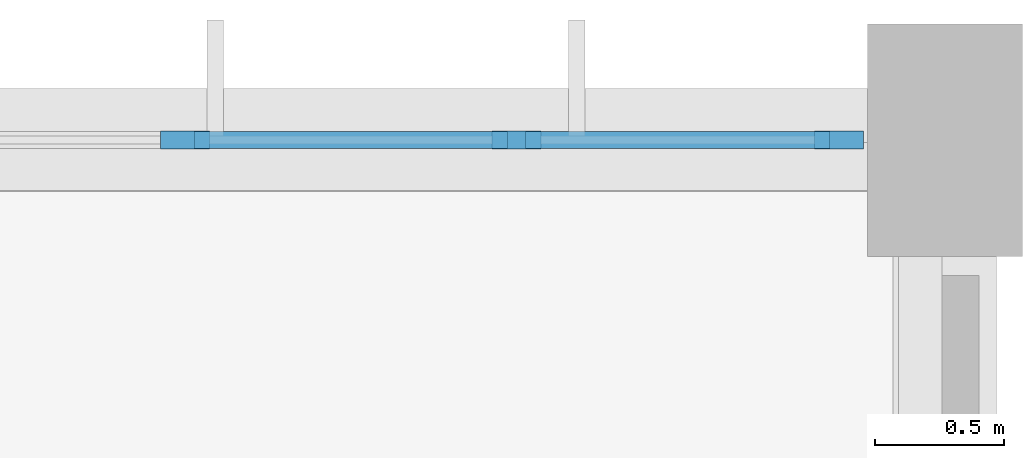
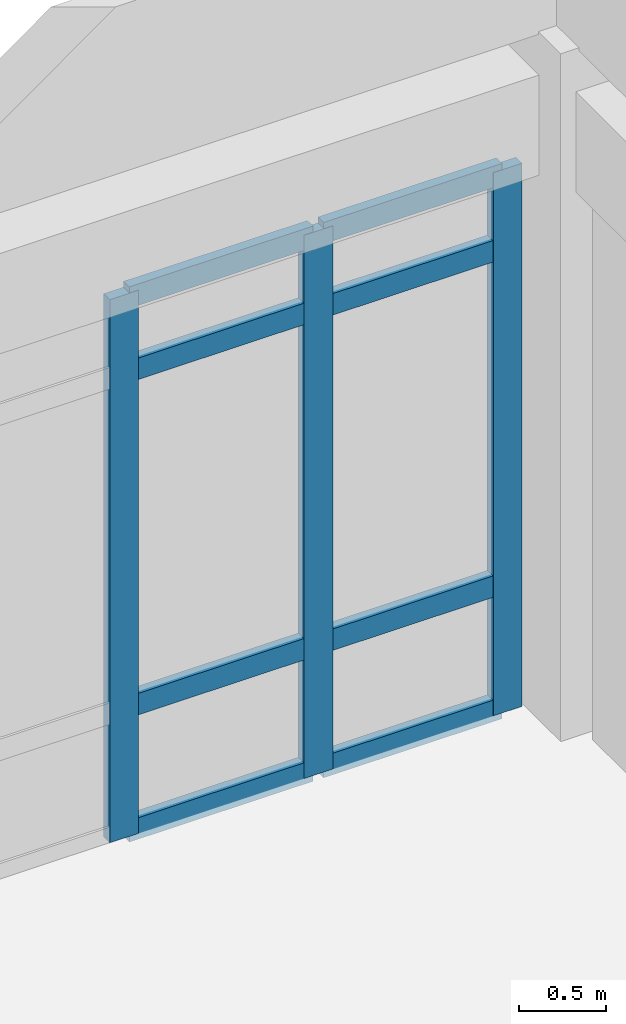
# One storey, part 62 of 138: 11 members, 1 element without a shape of its own.
"""IFC4 building model written with IfcOpenShell, lengths in metres."""

from ifc_helpers import new_model, si_unit, direction, frame, origin, origin_2d, place, context, subcontext, project, spatial, rectangle, extrude, material, layer, layer_set, material_profile, profile_set, type_object, element, aggregate, save


model = new_model("IFC4")

# Units and contexts
model_context = context("Model", 3, precision=1e-05, world=origin(), true_north=direction((0.0, 1.0)))
body_context = subcontext(model_context, "Body", "Model", "MODEL_VIEW")
ifc_project = project(units=[si_unit("LENGTHUNIT", "METRE"), si_unit("AREAUNIT", "SQUARE_METRE"), si_unit("VOLUMEUNIT", "CUBIC_METRE"), si_unit("PLANEANGLEUNIT", "RADIAN"), si_unit("MASSUNIT", "GRAM", prefix="KILO")], contexts=[model_context])

# Site, building, storey
site_placement = place(None, origin())
site = spatial("IfcSite", under=ifc_project, at=site_placement, CompositionType="ELEMENT")
building_placement = place(site_placement, origin())
building = spatial("IfcBuilding", under=site, at=building_placement, Name="Bramfleet General Hospital", CompositionType="ELEMENT")
storey_placement = place(building_placement, origin())
storey = spatial("IfcBuildingStorey", under=building, at=storey_placement, Name="L00", CompositionType="ELEMENT", Elevation=0.0)

# Curtain wall, members
ifc_material_1 = material(Name="Anodised aluminium and low-E triple glazing", Category="aluminium")
ifc_layer = layer(ifc_material_1, 0.179931640625, Name="CWT-CW-06")
ifc_layer_set = layer_set([ifc_layer], Name="Anodised aluminium and low-E triple glazing")
curtain_wall_type = type_object("IfcCurtainWallType", Name="CWT-CW-06", PredefinedType="USERDEFINED", material=ifc_layer_set)
curtain_wall_placement = place(storey_placement, origin())
curtain_wall = element("IfcCurtainWall", 1, at=curtain_wall_placement, inside=storey, type_object=curtain_wall_type, Name="L00 Curtain Wall 6", ObjectType="Unitised curtain wall", PredefinedType="USERDEFINED")
ifc_material_2 = material(Name="Structural timber GL28h", Category="wood")
ifc_material_profile_1 = material_profile(ifc_material_2, rectangle(XDim=0.070068359375, YDim=0.18994140625, at=origin_2d()), Name="LARCH 190x70")
ifc_profile_set_1 = profile_set([ifc_material_profile_1], Name="Structural timber GL28h")
member_type_1 = type_object("IfcMemberType", Name="CWM-LARCH450", PredefinedType="MULLION", material=ifc_profile_set_1)
member_1_placement = place(storey_placement, frame((181.8583984375, 117.60009765625, 0.0), z_axis=(0.0, 0.0, 1.0), x_axis=(0.0, 1.0, 0.0)))
member_1 = element("IfcMember", 2, at=member_1_placement, type_object=member_type_1, Name="CW-06 mullion 5", PredefinedType="MULLION", context=body_context, shape_type="SweptSolid", body=[
    extrude(rectangle(XDim=0.070068359375, YDim=0.18994140625, at=origin_2d()), origin(), (0.0, 0.0, 1.0), 3.7900390625),
])
member_2_placement = place(storey_placement, frame((183.1416015625, 117.60009765625, 0.0), z_axis=(0.0, 0.0, 1.0), x_axis=(0.0, 1.0, 0.0)))
member_2 = element("IfcMember", 3, at=member_2_placement, type_object=member_type_1, Name="CW-06 mullion 6", PredefinedType="MULLION", context=body_context, shape_type="SweptSolid", body=[
    extrude(rectangle(XDim=0.070068359375, YDim=0.18994140625, at=origin_2d()), origin(), (0.0, 0.0, 1.0), 3.7900390625),
])
member_3_placement = place(storey_placement, frame((184.389892578125, 117.60009765625, 0.0), z_axis=(0.0, 0.0, 1.0), x_axis=(0.0, 1.0, 0.0)))
member_3 = element("IfcMember", 4, at=member_3_placement, type_object=member_type_1, Name="CW-06 mullion 7", PredefinedType="MULLION", context=body_context, shape_type="SweptSolid", body=[
    extrude(rectangle(XDim=0.070068359375, YDim=0.18994140625, at=origin_2d()), origin(), (0.0, 0.0, 1.0), 3.7900390625),
])
ifc_material_profile_2 = material_profile(ifc_material_2, rectangle(XDim=0.06494140625, YDim=0.14990234375, at=origin_2d()), Name="LARCH 150x65")
ifc_profile_set_2 = profile_set([ifc_material_profile_2], Name="Structural timber GL28h")
member_type_2 = type_object("IfcMemberType", Name="CWT-LARCH220", PredefinedType="USERDEFINED", material=ifc_profile_set_2)
member_4_placement = place(storey_placement, frame((181.893310546875, 117.60009765625, 0.032470703125), z_axis=(1.0, 0.0, 0.0), x_axis=(0.0, 1.0, 0.0)))
member_4 = element("IfcMember", 5, at=member_4_placement, type_object=member_type_2, Name="CW-06 transom 5.1", ObjectType="TRANSOM", PredefinedType="USERDEFINED", context=body_context, shape_type="SweptSolid", body=[
    extrude(rectangle(XDim=0.06494140625, YDim=0.14990234375, at=origin_2d()), origin(), (0.0, 0.0, 1.0), 1.21337890625),
])
member_5_placement = place(storey_placement, frame((181.893310546875, 117.60009765625, 0.89990234375), z_axis=(1.0, 0.0, 0.0), x_axis=(0.0, 1.0, 0.0)))
member_5 = element("IfcMember", 6, at=member_5_placement, type_object=member_type_2, Name="CW-06 transom 5.2", ObjectType="TRANSOM", PredefinedType="USERDEFINED", context=body_context, shape_type="SweptSolid", body=[
    extrude(rectangle(XDim=0.06494140625, YDim=0.14990234375, at=origin_2d()), origin(), (0.0, 0.0, 1.0), 1.21337890625),
])
member_6_placement = place(storey_placement, frame((181.893310546875, 117.60009765625, 3.239990234375), z_axis=(1.0, 0.0, 0.0), x_axis=(0.0, 1.0, 0.0)))
member_6 = element("IfcMember", 7, at=member_6_placement, type_object=member_type_2, Name="CW-06 transom 5.3", ObjectType="TRANSOM", PredefinedType="USERDEFINED", context=body_context, shape_type="SweptSolid", body=[
    extrude(rectangle(XDim=0.06494140625, YDim=0.14990234375, at=origin_2d()), origin(), (0.0, 0.0, 1.0), 1.21337890625),
])
member_7_placement = place(storey_placement, frame((181.893310546875, 117.60009765625, 3.757568359375), z_axis=(1.0, 0.0, 0.0), x_axis=(0.0, 1.0, 0.0)))
member_7 = element("IfcMember", 8, at=member_7_placement, type_object=member_type_2, Name="CW-06 transom 5.4", ObjectType="TRANSOM", PredefinedType="USERDEFINED", context=body_context, shape_type="SweptSolid", body=[
    extrude(rectangle(XDim=0.06494140625, YDim=0.14990234375, at=origin_2d()), origin(), (0.0, 0.0, 1.0), 1.21337890625),
])
member_8_placement = place(storey_placement, frame((183.1767578125, 117.60009765625, 0.032470703125), z_axis=(1.0, 0.0, 0.0), x_axis=(0.0, 1.0, 0.0)))
member_8 = element("IfcMember", 9, at=member_8_placement, type_object=member_type_2, Name="CW-06 transom 6.1", ObjectType="TRANSOM", PredefinedType="USERDEFINED", context=body_context, shape_type="SweptSolid", body=[
    extrude(rectangle(XDim=0.06494140625, YDim=0.14990234375, at=origin_2d()), origin(), (0.0, 0.0, 1.0), 1.17822265625),
])
member_9_placement = place(storey_placement, frame((183.1767578125, 117.60009765625, 0.89990234375), z_axis=(1.0, 0.0, 0.0), x_axis=(0.0, 1.0, 0.0)))
member_9 = element("IfcMember", 10, at=member_9_placement, type_object=member_type_2, Name="CW-06 transom 6.2", ObjectType="TRANSOM", PredefinedType="USERDEFINED", context=body_context, shape_type="SweptSolid", body=[
    extrude(rectangle(XDim=0.06494140625, YDim=0.14990234375, at=origin_2d()), origin(), (0.0, 0.0, 1.0), 1.17822265625),
])
member_10_placement = place(storey_placement, frame((183.1767578125, 117.60009765625, 3.239990234375), z_axis=(1.0, 0.0, 0.0), x_axis=(0.0, 1.0, 0.0)))
member_10 = element("IfcMember", 11, at=member_10_placement, type_object=member_type_2, Name="CW-06 transom 6.3", ObjectType="TRANSOM", PredefinedType="USERDEFINED", context=body_context, shape_type="SweptSolid", body=[
    extrude(rectangle(XDim=0.06494140625, YDim=0.14990234375, at=origin_2d()), origin(), (0.0, 0.0, 1.0), 1.17822265625),
])
member_11_placement = place(storey_placement, frame((183.1767578125, 117.60009765625, 3.757568359375), z_axis=(1.0, 0.0, 0.0), x_axis=(0.0, 1.0, 0.0)))
member_11 = element("IfcMember", 12, at=member_11_placement, type_object=member_type_2, Name="CW-06 transom 6.4", ObjectType="TRANSOM", PredefinedType="USERDEFINED", context=body_context, shape_type="SweptSolid", body=[
    extrude(rectangle(XDim=0.06494140625, YDim=0.14990234375, at=origin_2d()), origin(), (0.0, 0.0, 1.0), 1.17822265625),
])
aggregate(curtain_wall, [member_1, member_2, member_3, member_4, member_5, member_6, member_7, member_8, member_9, member_10, member_11])

save(model, "model.ifc")
